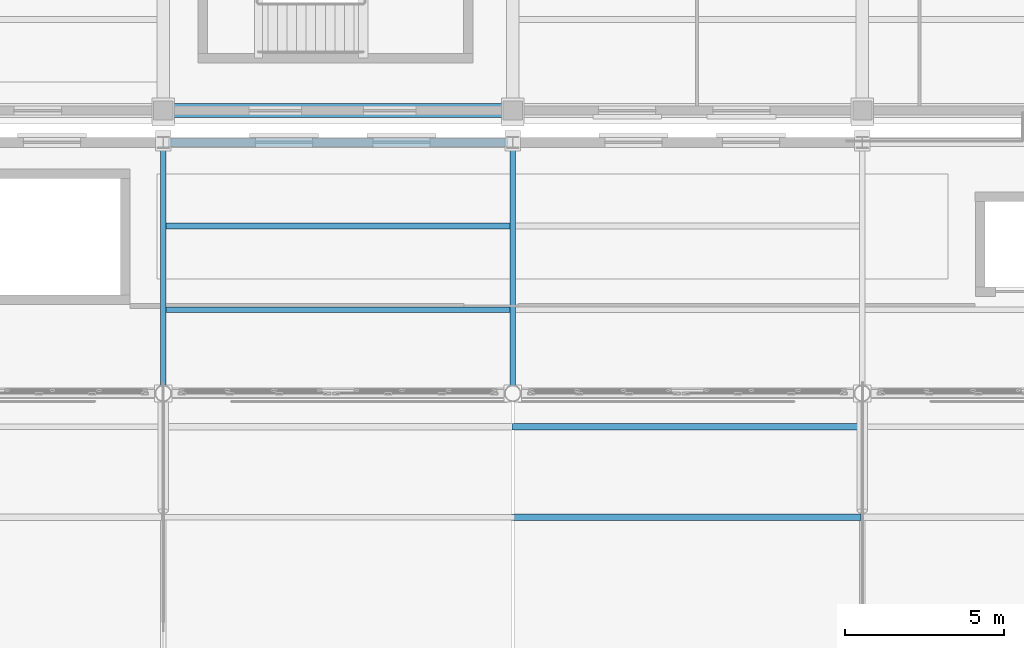
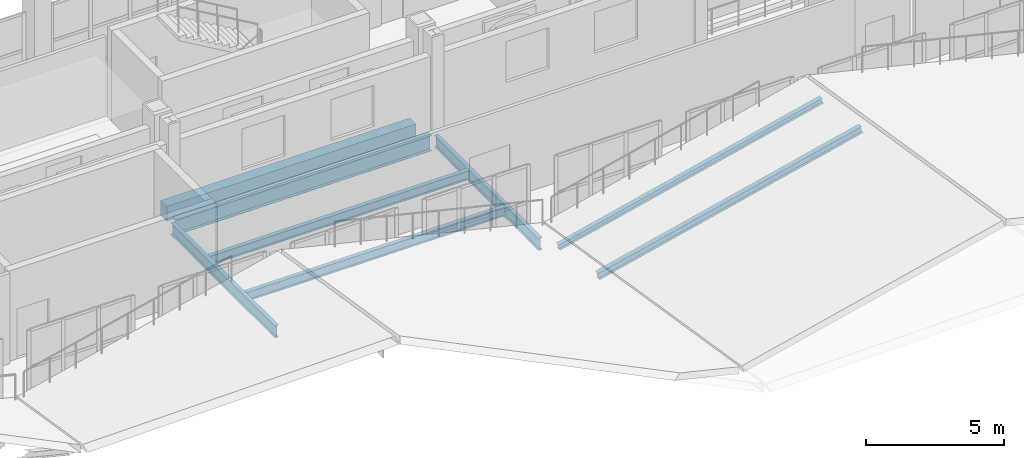
# One storey, part 28 of 120: 6 beams, 2 members.
"""IFC4 building model written with IfcOpenShell, lengths in metres."""

from ifc_helpers import new_model, si_unit, direction, frame, origin, origin_2d, place, context, subcontext, project, spatial, rectangle, i_section, extrude, material, material_profile, profile_set, type_object, element, save


model = new_model("IFC4")

# Units and contexts
model_context = context("Model", 3, precision=1e-05, world=origin(), true_north=direction((0.0, 1.0)))
body_context = subcontext(model_context, "Body", "Model", "MODEL_VIEW")
ifc_project = project(units=[si_unit("LENGTHUNIT", "METRE"), si_unit("AREAUNIT", "SQUARE_METRE"), si_unit("VOLUMEUNIT", "CUBIC_METRE"), si_unit("PLANEANGLEUNIT", "RADIAN"), si_unit("MASSUNIT", "GRAM", prefix="KILO")], contexts=[model_context])

# Site, building, storey
site_placement = place(None, origin())
site = spatial("IfcSite", under=ifc_project, at=site_placement, CompositionType="ELEMENT")
building_placement = place(site_placement, origin())
building = spatial("IfcBuilding", under=site, at=building_placement, Name="Caurita Quay Ferry Terminal", CompositionType="ELEMENT")
storey_placement = place(building_placement, frame((0.0, 0.0, 9.89990234375)))
storey = spatial("IfcBuildingStorey", under=building, at=storey_placement, Name="L02", CompositionType="ELEMENT", Elevation=9.89990234375)

# Beams
ifc_material_1 = material(Name="Structural steel ASTM A992 Gr. 50", Category="steel")
ifc_material_profile_1 = material_profile(ifc_material_1, i_section(OverallWidth=0.25390625, OverallDepth=0.68310546875, WebThickness=0.012451171875, FlangeThickness=0.018798828125, at=origin_2d()), Name="W27X94")
ifc_profile_set_1 = profile_set([ifc_material_profile_1], Name="Structural steel ASTM A992 Gr. 50")
beam_type_1 = type_object("IfcBeamType", Name="BM-GR-W27B", PredefinedType="BEAM", material=ifc_profile_set_1)
beam_1_placement = place(storey_placement, frame((33.167236328125, 70.60009765625, -0.5615234375), z_axis=(1.0, 0.0, 0.0), x_axis=(0.0, 1.0, 0.0)))
element("IfcBeam", 1, at=beam_1_placement, inside=storey, type_object=beam_type_1, Name="L02 Beam BM-V1-L02-X-332-706", PredefinedType="BEAM", context=body_context, shape_type="SweptSolid", body=[
    extrude(i_section(OverallWidth=0.25390625, OverallDepth=0.68310546875, WebThickness=0.012451171875, FlangeThickness=0.018798828125, at=origin_2d()), origin(), (0.0, 0.0, 1.0), 10.66552734375),
])
ifc_material_profile_2 = material_profile(ifc_material_1, i_section(OverallWidth=0.177734375, OverallDepth=0.40380859375, WebThickness=0.007568359375, FlangeThickness=0.010986328125, FilletRadius=0.011474609375, at=origin_2d()), Name="W16X36")
ifc_profile_set_2 = profile_set([ifc_material_profile_2], Name="Structural steel ASTM A992 Gr. 50")
beam_type_2 = type_object("IfcBeamType", Name="BM-JS-W16B", PredefinedType="JOIST", material=ifc_profile_set_2)
for number, where, z_axis, x_axis, name in (
    (2, (33.083251953125, 65.333251953125, -0.421875), (1.0, 0.0, 0.0), (0.0, 1.0, 0.0), "L02 Beam JS-V1-L02-002"),
    (3, (33.083251953125, 67.966796875, -0.421875), (1.0, 0.0, 0.0), (0.0, 1.0, 0.0), "L02 Beam JS-V1-L02-003"),
):
    element("IfcBeam", number, at=place(storey_placement, frame(where, z_axis=z_axis, x_axis=x_axis)), inside=storey, type_object=beam_type_2, Name=name, PredefinedType="JOIST", context=body_context, shape_type="SweptSolid", body=[
        extrude(i_section(OverallWidth=0.177734375, OverallDepth=0.40380859375, WebThickness=0.007568359375, FlangeThickness=0.010986328125, FilletRadius=0.011474609375, at=origin_2d()), origin(), (0.0, 0.0, 1.0), 10.83349609375),
    ])
ifc_material_2 = material(Name="Reinforced concrete C35/45", Category="concrete")
ifc_material_profile_3 = material_profile(ifc_material_2, rectangle(XDim=0.449951171875, YDim=0.64990234375, at=origin_2d()), Name="RC-BM-450X650")
ifc_profile_set_3 = profile_set([ifc_material_profile_3], Name="Reinforced concrete C35/45")
beam_type_3 = type_object("IfcBeamType", Name="BM-RC-4565", PredefinedType="BEAM", material=ifc_profile_set_3)
beam_2_placement = place(storey_placement, frame((33.297607421875, 71.60009765625, -0.544921875), z_axis=(1.0, 0.0, 0.0), x_axis=(0.0, 1.0, 0.0)))
element("IfcBeam", 4, at=beam_2_placement, inside=storey, type_object=beam_type_3, Name="L02 Beam BM-V5-L02-X-333-716", PredefinedType="BEAM", context=body_context, shape_type="SweptSolid", body=[
    extrude(rectangle(XDim=0.449951171875, YDim=0.64990234375, at=origin_2d()), origin(), (0.0, 0.0, 1.0), 10.40478515625),
])
ifc_material_profile_4 = material_profile(ifc_material_1, i_section(OverallWidth=0.16650390625, OverallDepth=0.535888671875, WebThickness=0.01025390625, FlangeThickness=0.0166015625, FilletRadius=0.013916015625, at=origin_2d()), Name="W21X57")
ifc_profile_set_4 = profile_set([ifc_material_profile_4], Name="Structural steel ASTM A992 Gr. 50")
beam_type_4 = type_object("IfcBeamType", Name="BM-SP-W21B", PredefinedType="SPANDREL", material=ifc_profile_set_4)
for number, where, z_axis, x_axis, name in (
    (5, (33.0, 62.916015625, -0.48779296875), (0.0, 1.0, 0.0), (-1.0, 0.0, 0.0), "L02 Beam BM-V1-L02-Y-330-629"),
    (6, (44.0, 62.916015625, -0.48779296875), (0.0, 1.0, 0.0), (-1.0, 0.0, 0.0), "L02 Beam BM-V1-L02-Y-440-629"),
):
    element("IfcBeam", number, at=place(storey_placement, frame(where, z_axis=z_axis, x_axis=x_axis)), inside=storey, type_object=beam_type_4, Name=name, PredefinedType="SPANDREL", context=body_context, shape_type="SweptSolid", body=[
        extrude(i_section(OverallWidth=0.16650390625, OverallDepth=0.535888671875, WebThickness=0.01025390625, FlangeThickness=0.0166015625, FilletRadius=0.013916015625, at=origin_2d()), origin(), (0.0, 0.0, 1.0), 7.524169921875),
    ])

# Members
ifc_material_profile_5 = material_profile(ifc_material_1, i_section(OverallWidth=0.2021484375, OverallDepth=0.246337890625, WebThickness=0.00732421875, FlangeThickness=0.010986328125, FilletRadius=0.01025390625, at=origin_2d()), Name="W10X33")
ifc_profile_set_5 = profile_set([ifc_material_profile_5], Name="Structural steel ASTM A992 Gr. 50")
member_type_1 = type_object("IfcMemberType", Name="MEM-PUR-10", PredefinedType="PURLIN", material=ifc_profile_set_5)
member_1_placement = place(storey_placement, frame((44.0, 61.64990234375, 0.168212890625), z_axis=(0.972389456854, 0.0, 0.233363973654), x_axis=(0.0, 1.0, 0.0)))
element("IfcMember", 7, at=member_1_placement, inside=storey, type_object=member_type_1, Name="Folded Roof Purlin PUR-050", PredefinedType="PURLIN", context=body_context, shape_type="SweptSolid", body=[
    extrude(i_section(OverallWidth=0.2021484375, OverallDepth=0.246337890625, WebThickness=0.00732421875, FlangeThickness=0.010986328125, FilletRadius=0.01025390625, at=origin_2d()), origin(), (0.0, 0.0, 1.0), 11.312255859375),
])
ifc_material_profile_6 = material_profile(ifc_material_1, i_section(OverallWidth=0.20458984375, OverallDepth=0.307373046875, WebThickness=0.008544921875, FlangeThickness=0.0146484375, FilletRadius=0.0126953125, at=origin_2d()), Name="W12X45")
ifc_profile_set_6 = profile_set([ifc_material_profile_6], Name="Structural steel ASTM A992 Gr. 50")
member_type_2 = type_object("IfcMemberType", Name="MEM-PUR-12", PredefinedType="PURLIN", material=ifc_profile_set_6)
member_2_placement = place(storey_placement, frame((44.0, 58.800048828125, 0.6240234375), z_axis=(0.972384559308, 0.0, 0.23338437998), x_axis=(0.0, 1.0, 0.0)))
element("IfcMember", 8, at=member_2_placement, inside=storey, type_object=member_type_2, Name="Folded Roof Purlin PUR-049", PredefinedType="PURLIN", context=body_context, shape_type="SweptSolid", body=[
    extrude(i_section(OverallWidth=0.20458984375, OverallDepth=0.307373046875, WebThickness=0.008544921875, FlangeThickness=0.0146484375, FilletRadius=0.0126953125, at=origin_2d()), origin(), (0.0, 0.0, 1.0), 11.3125),
])

save(model, "model.ifc")
